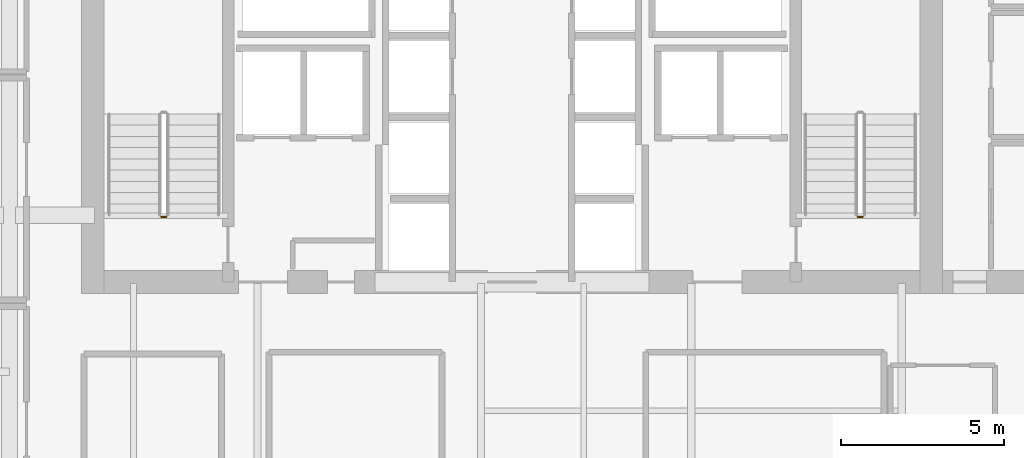
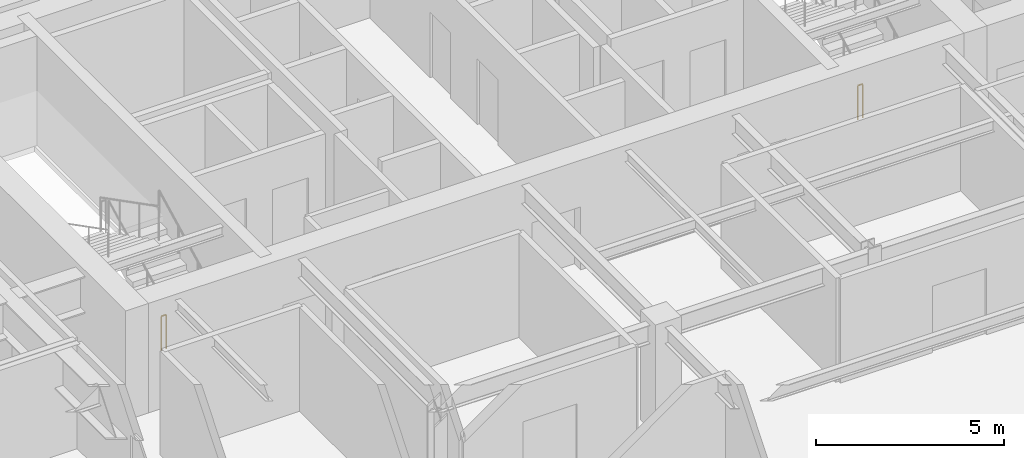
# One storey, part 25 of 28: 2 railings.
"""IFC4 building model written with IfcOpenShell, lengths in metres."""

from ifc_helpers import new_model, si_unit, direction, frame, origin, origin_2d, place, context, subcontext, project, spatial, circle, extrude, material, type_object, element, save


model = new_model("IFC4")

# Units and contexts
model_context = context("Model", 3, precision=1e-05, world=origin(), true_north=direction((0.0, 1.0)))
body_context = subcontext(model_context, "Body", "Model", "MODEL_VIEW")
ifc_project = project(units=[si_unit("LENGTHUNIT", "METRE"), si_unit("AREAUNIT", "SQUARE_METRE"), si_unit("VOLUMEUNIT", "CUBIC_METRE"), si_unit("PLANEANGLEUNIT", "RADIAN"), si_unit("MASSUNIT", "GRAM", prefix="KILO")], contexts=[model_context])

# Site, building, storey
site_placement = place(None, origin())
site = spatial("IfcSite", under=ifc_project, at=site_placement, CompositionType="ELEMENT")
building_placement = place(site_placement, origin())
building = spatial("IfcBuilding", under=site, at=building_placement, Name="Tolvann Quenvar Hotel", CompositionType="ELEMENT")
storey_placement = place(building_placement, frame((0.0, 0.0, 198.199951171875)))
storey = spatial("IfcBuildingStorey", under=building, at=storey_placement, Name="L52", CompositionType="ELEMENT", Elevation=198.199951171875)

# Railings
ifc_material = material(Name="Brushed 316 stainless steel balustrade and handrail", Category="steel")
railing_type = type_object("IfcRailingType", Name="GUARDRAIL", PredefinedType="GUARDRAIL", material=ifc_material)
for number, where, name in (
    (1, (12.39990234375, 33.949951171875, 0.0), "L52 ST-C1 stair guard 4"),
    (2, (33.75, 33.949951171875, 0.0), "L52 ST-C2 stair guard 4"),
):
    element("IfcRailing", number, at=place(storey_placement, frame(where)), inside=storey, type_object=railing_type, Name=name, PredefinedType="GUARDRAIL", context=body_context, shape_type="SweptSolid", body=[
        extrude(circle(Radius=0.02392578125, at=origin_2d()), frame((0.0, 0.0, 1.09619140625), z_axis=(-1.0, 0.0, 0.0), x_axis=(0.0, -1.0, 0.0)), (0.0, 0.0, 1.0), 0.14990234375),
        extrude(circle(Radius=0.02099609375, at=origin_2d()), origin(), (0.0, 0.0, 1.0), 1.072021484375),
        extrude(circle(Radius=0.02099609375, at=origin_2d()), frame((-0.14990234375, 0.0, 0.0)), (0.0, 0.0, 1.0), 1.072021484375),
    ])

save(model, "model.ifc")
